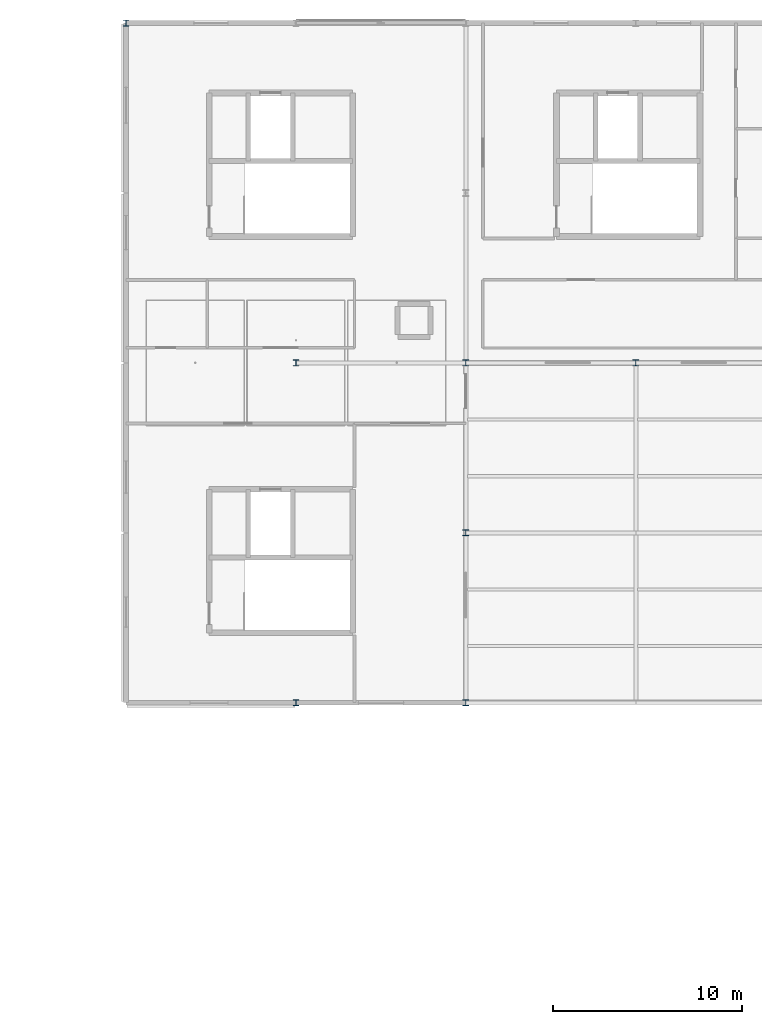
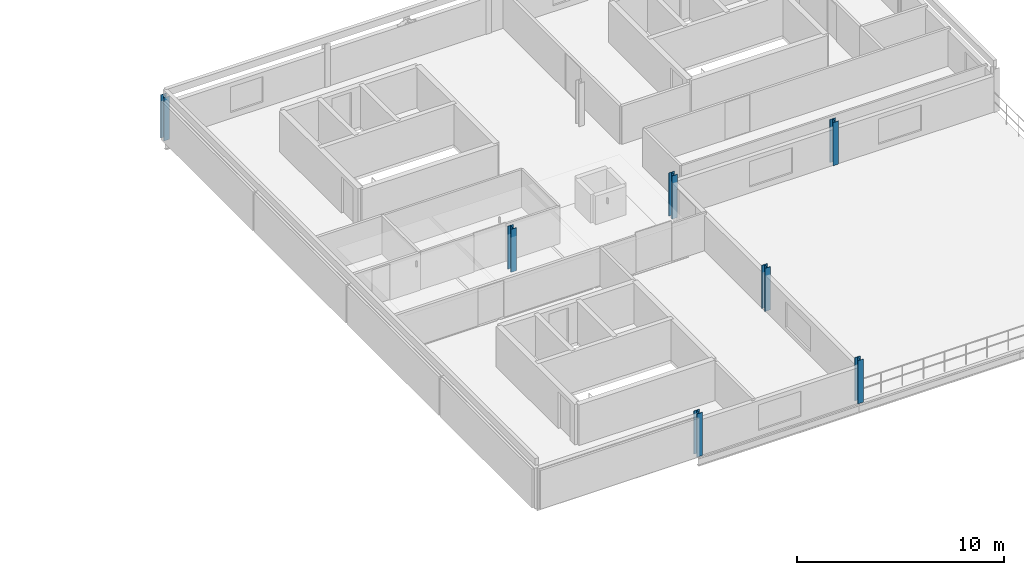
# One storey, part 7 of 16: 7 columns.
"""IFC4 building model written with IfcOpenShell, lengths in metres."""

from ifc_helpers import new_model, si_unit, direction, frame, origin, origin_2d, place, context, subcontext, project, spatial, i_section, extrude, material, material_profile, profile_set, type_object, element, save


model = new_model("IFC4")

# Units and contexts
model_context = context("Model", 3, precision=1e-05, world=origin(), true_north=direction((0.0, 1.0)))
body_context = subcontext(model_context, "Body", "Model", "MODEL_VIEW")
ifc_project = project(units=[si_unit("LENGTHUNIT", "METRE"), si_unit("AREAUNIT", "SQUARE_METRE"), si_unit("VOLUMEUNIT", "CUBIC_METRE"), si_unit("PLANEANGLEUNIT", "RADIAN"), si_unit("MASSUNIT", "GRAM", prefix="KILO"), si_unit("THERMODYNAMICTEMPERATUREUNIT", "KELVIN"), si_unit("POWERUNIT", "WATT")], contexts=[model_context])

# Site, building, storey
site_placement = place(None, origin())
site = spatial("IfcSite", under=ifc_project, at=site_placement, CompositionType="ELEMENT")
building_placement = place(site_placement, origin())
building = spatial("IfcBuilding", under=site, at=building_placement, Name="Tallowbark Science Centre", CompositionType="ELEMENT")
storey_placement = place(building_placement, frame((0.0, 0.0, 23.39990234375)))
storey = spatial("IfcBuildingStorey", under=building, at=storey_placement, Name="L05", CompositionType="ELEMENT", Elevation=23.39990234375)

# Columns
ifc_material = material(Name="Structural Steel Grade 300PLUS (300 MPa)", Category="steel")
ifc_material_profile = material_profile(ifc_material, i_section(OverallWidth=0.30908203125, OverallDepth=0.320556640625, WebThickness=0.013916015625, FlangeThickness=0.021728515625, FilletRadius=0.0166015625, at=origin_2d()), Name="310UC137")
ifc_profile_set = profile_set([ifc_material_profile], Name="Structural Steel Grade 300PLUS (300 MPa)")
column_type = type_object("IfcColumnType", Name="COL-UC310B", PredefinedType="COLUMN", material=ifc_profile_set)
for number, where, z_axis, x_axis, name in (
    (1, (112.5, 108.0, 0.0), (0.0, 0.0, 1.0), (1.0, 0.0, 0.0), "Column OBS-0_4 L05"),
    (2, (121.5, 72.0, 0.0), (0.0, 0.0, 1.0), (1.0, 0.0, 0.0), "Column OBS-1_0 L05"),
    (3, (121.5, 90.0, 0.0), (0.0, 0.0, 1.0), (1.0, 0.0, 0.0), "Column OBS-1_2 L05"),
    (4, (130.5, 72.0, 0.0), (0.0, 0.0, 1.0), (1.0, 0.0, 0.0), "Column OBS-2_0 L05"),
    (5, (130.5, 81.0, 0.0), (0.0, 0.0, 1.0), (1.0, 0.0, 0.0), "Column OBS-2_1 L05"),
    (6, (130.5, 90.0, 0.0), (0.0, 0.0, 1.0), (1.0, 0.0, 0.0), "Column OBS-2_2 L05"),
    (7, (139.5, 90.0, 0.0), (0.0, 0.0, 1.0), (1.0, 0.0, 0.0), "Column OBS-3_2 L05"),
):
    element("IfcColumn", number, at=place(storey_placement, frame(where, z_axis=z_axis, x_axis=x_axis)), inside=storey, type_object=column_type, Name=name, PredefinedType="COLUMN", context=body_context, shape_type="SweptSolid", body=[
        extrude(i_section(OverallWidth=0.30908203125, OverallDepth=0.320556640625, WebThickness=0.013916015625, FlangeThickness=0.021728515625, FilletRadius=0.0166015625, at=origin_2d()), origin(), (0.0, 0.0, 1.0), 2.550048828125),
    ])

save(model, "model.ifc")
